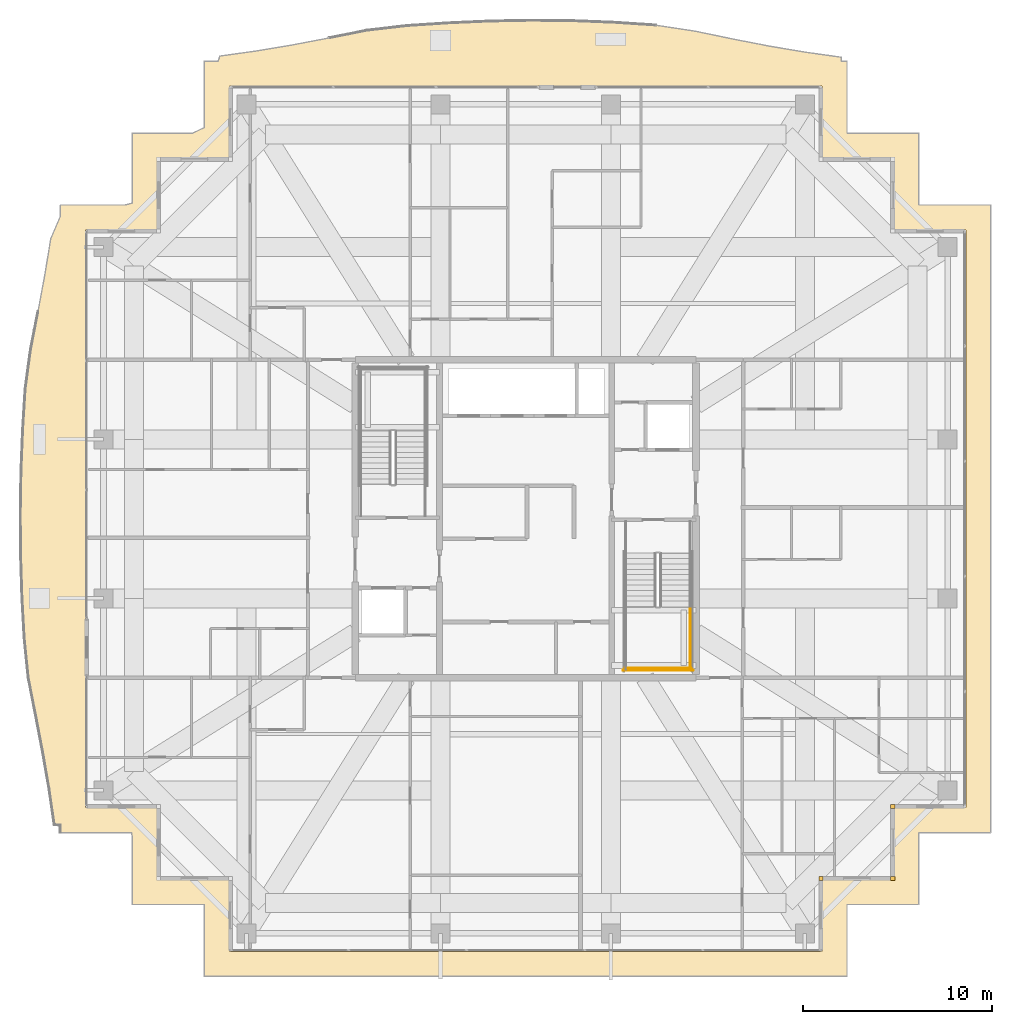
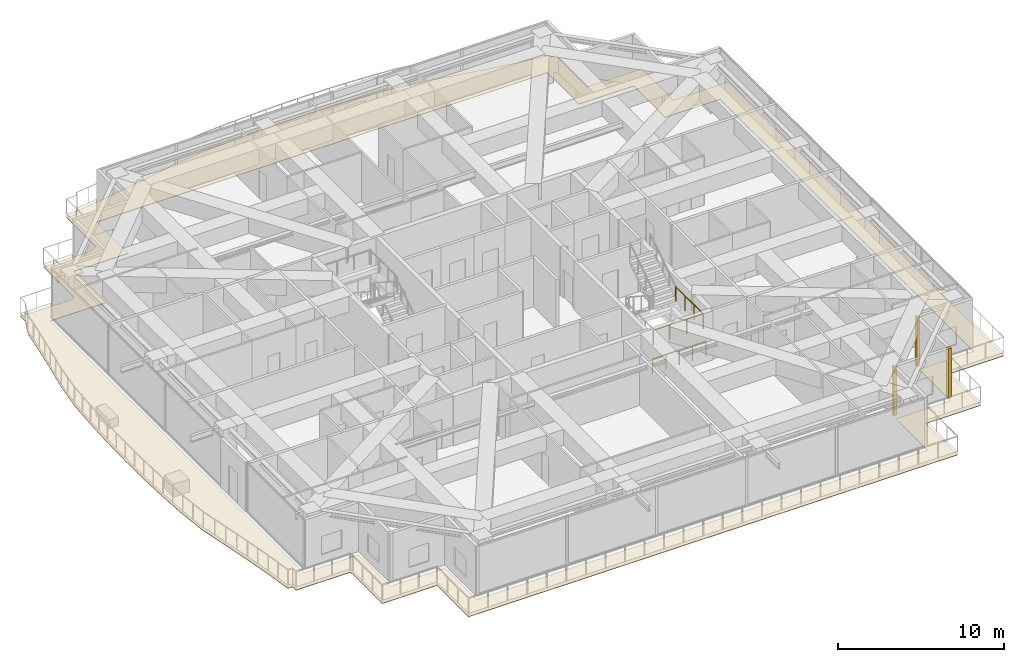
# One storey, part 38 of 40: 4 coverings, 3 railings.
"""IFC4 building model written with IfcOpenShell, lengths in metres."""

from ifc_helpers import new_model, si_unit, direction, frame, origin, origin_2d, place, context, subcontext, project, spatial, polyline, rectangle, circle, outline, extrude, source, transform, mapped, material, layer, layer_set, type_object, element, save


model = new_model("IFC4")

# Units and contexts
model_context = context("Model", 3, precision=1e-05, world=origin(), true_north=direction((0.0, 1.0)))
body_context = subcontext(model_context, "Body", "Model", "MODEL_VIEW")
ifc_project = project(units=[si_unit("LENGTHUNIT", "METRE"), si_unit("AREAUNIT", "SQUARE_METRE"), si_unit("VOLUMEUNIT", "CUBIC_METRE"), si_unit("PLANEANGLEUNIT", "RADIAN"), si_unit("MASSUNIT", "GRAM", prefix="KILO")], contexts=[model_context])

# Site, building, storey
site_placement = place(None, origin())
site = spatial("IfcSite", under=ifc_project, at=site_placement, CompositionType="ELEMENT")
building_placement = place(site_placement, origin())
building = spatial("IfcBuilding", under=site, at=building_placement, Name="Serunith Strait Residences", CompositionType="ELEMENT")
storey_placement = place(building_placement, frame((0.0, 0.0, 333.949951171875)))
storey = spatial("IfcBuildingStorey", under=building, at=storey_placement, Name="L83", CompositionType="ELEMENT", Elevation=333.949951171875)

# Covering
ifc_material_1 = material(Name="Golden Teak Exterior Timber Boarding", Category="wood")
ifc_layer_1 = layer(ifc_material_1, 0.034912109375, Name="Golden Teak Exterior Timber Boarding")
ifc_layer_set_1 = layer_set([ifc_layer_1], Name="Golden Teak Exterior Timber Boarding")
covering_type_1 = type_object("IfcCoveringType", Name="COV-TEAK-SOFFIT", PredefinedType="CEILING", material=ifc_layer_set_1)
covering_placement = place(storey_placement, frame((0.0, 0.0, -0.324951171875)))
element("IfcCovering", 1, at=covering_placement, inside=storey, type_object=covering_type_1, Name="L83 Golden-Teak Balcony Soffit Lining", PredefinedType="CEILING", context=body_context, shape_type="SweptSolid", body=[
    extrude(outline(polyline([(7.820068359375, 8.6201171875), (7.820068359375, 9.010986328125), (7.501220703125, 9.030029296875), (7.22412109375, 10.929931640625), (6.893310546875, 12.849853515625), (6.518798828125, 14.806640625), (6.124267578125, 16.819091796875), (5.911376953125, 18.939453125), (5.7939453125, 21.109619140625), (5.724853515625, 23.302734375), (5.70849609375, 25.5068359375), (5.7451171875, 27.70849609375), (5.83203125, 29.895263671875), (5.96337890625, 32.05615234375), (6.2451171875, 34.143798828125), (6.634521484375, 36.13916015625), (6.995849609375, 38.084716796875), (7.3095703125, 39.998291015625), (7.820068359375, 41.1875), (7.820068359375, 41.780029296875), (11.22998046875, 41.780029296875), (11.6201171875, 41.87744140625), (11.6201171875, 45.580078125), (14.810791015625, 45.580078125), (15.419921875, 45.866943359375), (15.419921875, 49.3798828125), (16.15625, 49.3798828125), (16.244873046875, 49.647216796875), (18.146484375, 49.91357421875), (20.065185546875, 50.2353515625), (22.01806640625, 50.606689453125), (24.023681640625, 51.008056640625), (26.134521484375, 51.252197265625), (28.302490234375, 51.39404296875), (30.497314453125, 51.49072265625), (32.7080078125, 51.531005859375), (34.919189453125, 51.50830078125), (37.115478515625, 51.42236328125), (39.2822265625, 51.2802734375), (41.364013671875, 50.96240234375), (43.3515625, 50.5498046875), (45.287841796875, 50.17236328125), (47.193603515625, 49.849853515625), (49.0859375, 49.587158203125), (49.083984375, 49.3798828125), (49.3798828125, 49.3798828125), (49.3798828125, 45.580078125), (53.179931640625, 45.580078125), (53.179931640625, 41.780029296875), (56.97998046875, 41.780029296875), (56.97998046875, 8.6201171875), (53.179931640625, 8.6201171875), (53.179931640625, 4.820068359375), (49.392578125, 4.820068359375), (49.3798828125, 4.815185546875), (49.3798828125, 1.02001953125), (15.419921875, 1.02001953125), (15.419921875, 4.820068359375), (11.6201171875, 4.820068359375), (11.6201171875, 8.365966796875), (11.580810546875, 8.6201171875), (7.820068359375, 8.6201171875)]), holes=[polyline([(48.054931640625, 2.344970703125), (48.054931640625, 6.14501953125), (51.85498046875, 6.14501953125), (51.85498046875, 9.945068359375), (55.655029296875, 9.945068359375), (55.655029296875, 40.455078125), (51.85498046875, 40.455078125), (51.85498046875, 44.2548828125), (48.054931640625, 44.2548828125), (48.054931640625, 48.054931640625), (16.7451171875, 48.054931640625), (16.7451171875, 44.2548828125), (12.945068359375, 44.2548828125), (12.945068359375, 40.455078125), (9.14501953125, 40.455078125), (9.14501953125, 9.945068359375), (12.945068359375, 9.945068359375), (12.945068359375, 6.14501953125), (16.7451171875, 6.14501953125), (16.7451171875, 2.344970703125), (48.054931640625, 2.344970703125)])]), origin(), (0.0, 0.0, 1.0), 0.034912109375),
])

# Railings
ifc_material_2 = material(Name="Brushed stainless steel 316L", Category="steel")
railing_type = type_object("IfcRailingType", Name="RLG-STAIR-GUARD", PredefinedType="BALUSTRADE", material=ifc_material_2)
railing_1_placement = place(storey_placement, frame((41.10009765625, 20.570068359375, 2.025146484375)))
element("IfcRailing", 2, at=railing_1_placement, inside=storey, type_object=railing_type, Name="L83 ST-2 stair guard 4", PredefinedType="BALUSTRADE", context=body_context, shape_type="SweptSolid", body=[
    extrude(circle(Radius=0.02392578125, at=origin_2d()), frame((0.0, -0.001953125, 1.076171875), z_axis=(0.0, -1.0, 0.0), x_axis=(1.0, 0.0, 0.0)), (0.0, 0.0, 1.0), 3.316162109375),
    extrude(circle(Radius=0.02099609375, at=origin_2d()), origin(), (0.0, 0.0, 1.0), 1.050048828125),
    extrude(circle(Radius=0.02099609375, at=origin_2d()), frame((0.0, -1.106689453125, 0.0)), (0.0, 0.0, 1.0), 1.050048828125),
    extrude(circle(Radius=0.02099609375, at=origin_2d()), frame((0.0, -2.21337890625, 0.0)), (0.0, 0.0, 1.0), 1.050048828125),
    extrude(circle(Radius=0.02099609375, at=origin_2d()), frame((0.0, -3.320068359375, 0.0)), (0.0, 0.0, 1.0), 1.050048828125),
])
railing_2_placement = place(storey_placement, frame((37.64990234375, 17.300048828125, 2.025146484375)))
element("IfcRailing", 3, at=railing_2_placement, inside=storey, type_object=railing_type, Name="L83 ST-2 stair guard 5", PredefinedType="BALUSTRADE", context=body_context, shape_type="SweptSolid", body=[
    extrude(circle(Radius=0.02392578125, at=origin_2d()), frame((0.001953125, 0.0, 1.076171875), z_axis=(1.0, 0.0, 0.0), x_axis=(0.0, 1.0, 0.0)), (0.0, 0.0, 1.0), 3.49609375),
    extrude(circle(Radius=0.02099609375, at=origin_2d()), origin(), (0.0, 0.0, 1.0), 1.050048828125),
    extrude(circle(Radius=0.02099609375, at=origin_2d()), frame((1.166748046875, 0.0, 0.0)), (0.0, 0.0, 1.0), 1.050048828125),
    extrude(circle(Radius=0.02099609375, at=origin_2d()), frame((2.333251953125, 0.0, 0.0)), (0.0, 0.0, 1.0), 1.050048828125),
    extrude(circle(Radius=0.02099609375, at=origin_2d()), frame((3.5, 0.0, 0.0)), (0.0, 0.0, 1.0), 1.050048828125),
])
railing_3_placement = place(storey_placement, frame((37.550048828125, 17.199951171875, 0.0)))
element("IfcRailing", 4, at=railing_3_placement, inside=storey, type_object=railing_type, Name="L83 ST-2 stair guard 12", PredefinedType="BALUSTRADE", context=body_context, shape_type="SweptSolid", body=[
    extrude(circle(Radius=0.02392578125, at=origin_2d()), frame((0.001953125, 0.0, 1.076171875), z_axis=(1.0, 0.0, 0.0), x_axis=(0.0, 1.0, 0.0)), (0.0, 0.0, 1.0), 3.696044921875),
    extrude(circle(Radius=0.02099609375, at=origin_2d()), origin(), (0.0, 0.0, 1.0), 1.050048828125),
    extrude(circle(Radius=0.02099609375, at=origin_2d()), frame((0.925048828125, 0.0, 0.0)), (0.0, 0.0, 1.0), 1.050048828125),
    extrude(circle(Radius=0.02099609375, at=origin_2d()), frame((1.85009765625, 0.0, 0.0)), (0.0, 0.0, 1.0), 1.050048828125),
    extrude(circle(Radius=0.02099609375, at=origin_2d()), frame((2.77490234375, 0.0, 0.0)), (0.0, 0.0, 1.0), 1.050048828125),
    extrude(circle(Radius=0.02099609375, at=origin_2d()), frame((3.699951171875, 0.0, 0.0)), (0.0, 0.0, 1.0), 1.050048828125),
])

# Coverings
ifc_material_3 = material(Name="Pale-Champagne Anodised Aluminium", Category="aluminium")
ifc_layer_2 = layer(ifc_material_3, 0.219970703125, Name="Pale-Champagne Anodised Aluminium")
ifc_layer_set_2 = layer_set([ifc_layer_2], Name="Pale-Champagne Anodised Aluminium")
covering_type_2 = type_object("IfcCoveringType", Name="COV-CORN-TRIM", PredefinedType="CLADDING", material=ifc_layer_set_2)
shared_shape = source(origin(), body_context, "Body", "SweptSolid", [
    extrude(rectangle(XDim=0.221923828125, YDim=0.221923828125, at=origin_2d()), origin(), (0.0, 0.0, 1.0), 3.594970703125),
])
for number, where, z_axis, x_axis, name in (
    (5, (48.0, 6.199951171875, 0.0), (0.0, 0.0, 1.0), (1.0, 0.0, 0.0), "L83 Girih Serrated Corner Trim Post 02"),
    (6, (51.800048828125, 6.199951171875, 0.0), (0.0, 0.0, 1.0), (1.0, 0.0, 0.0), "L83 Girih Serrated Corner Trim Post 03"),
    (7, (51.800048828125, 10.0, 0.0), (0.0, 0.0, 1.0), (1.0, 0.0, 0.0), "L83 Girih Serrated Corner Trim Post 04"),
):
    element("IfcCovering", number, at=place(storey_placement, frame(where, z_axis=z_axis, x_axis=x_axis)), inside=storey, type_object=covering_type_2, Name=name, PredefinedType="CLADDING", context=body_context, shape_type="MappedRepresentation", body=[
        mapped(shared_shape, transform((0.0, 0.0, 0.0), scale=1.0)),
    ])

save(model, "model.ifc")
